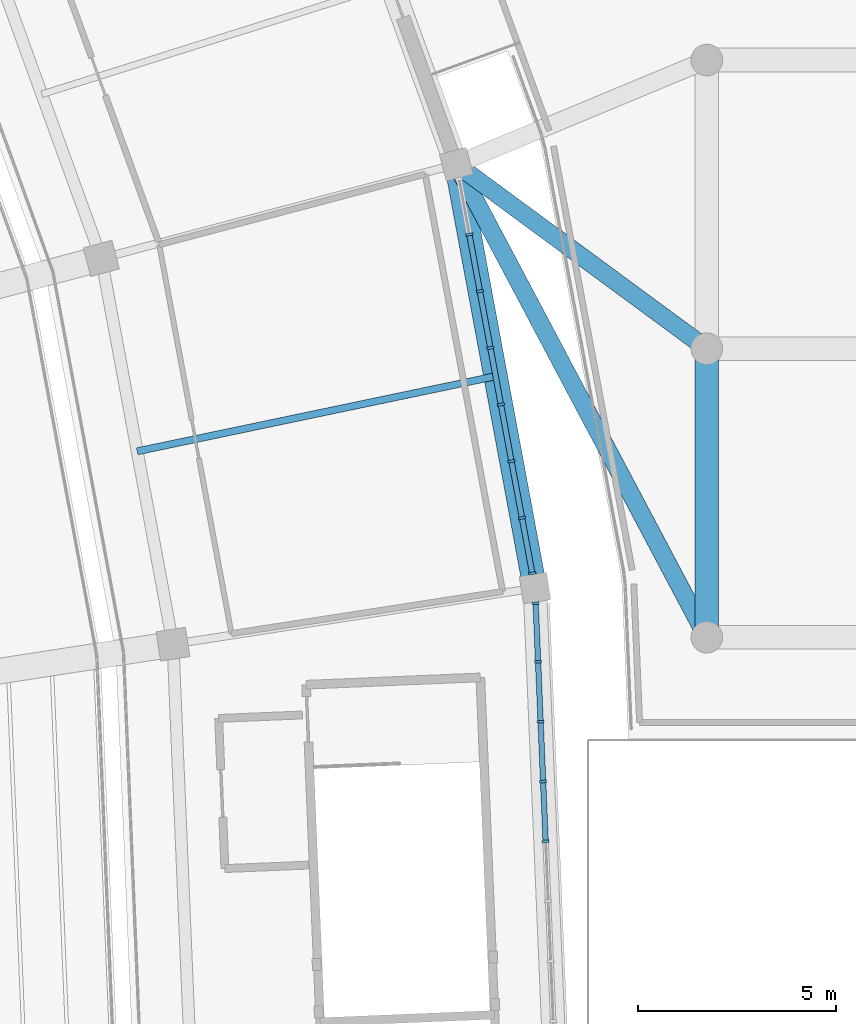
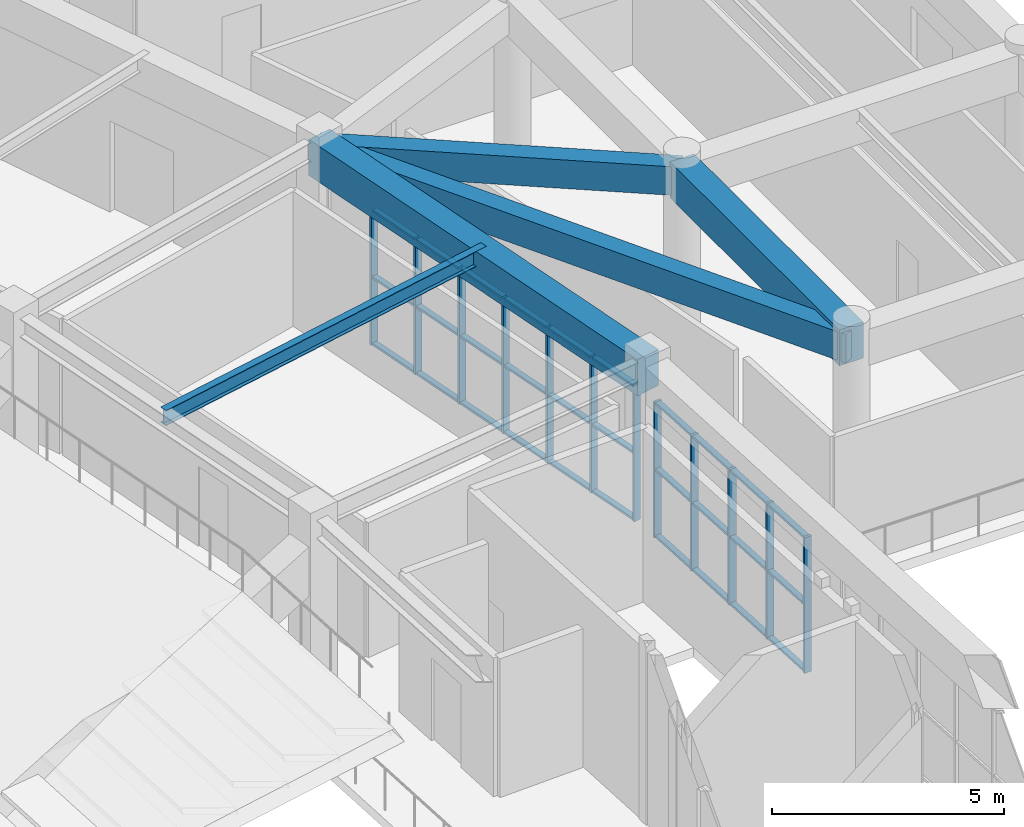
# One storey, part 48 of 137: 42 members, 5 beams, 2 elements without a shape of their own.
"""IFC4 building model written with IfcOpenShell, lengths in metres."""

from ifc_helpers import new_model, si_unit, direction, frame, origin, origin_2d, place, context, subcontext, project, spatial, rectangle, i_section, extrude, material, layer, layer_set, material_profile, profile_set, type_object, element, aggregate, save


model = new_model("IFC4")

# Units and contexts
model_context = context("Model", 3, precision=1e-05, world=origin(), true_north=direction((0.0, 1.0)))
body_context = subcontext(model_context, "Body", "Model", "MODEL_VIEW")
ifc_project = project(units=[si_unit("LENGTHUNIT", "METRE"), si_unit("AREAUNIT", "SQUARE_METRE"), si_unit("VOLUMEUNIT", "CUBIC_METRE"), si_unit("PLANEANGLEUNIT", "RADIAN"), si_unit("MASSUNIT", "GRAM", prefix="KILO")], contexts=[model_context])

# Site, building, storey
site_placement = place(None, origin())
site = spatial("IfcSite", under=ifc_project, at=site_placement, CompositionType="ELEMENT")
building_placement = place(site_placement, origin())
building = spatial("IfcBuilding", under=site, at=building_placement, Name="Mphavela Belvedere Stadium", CompositionType="ELEMENT")
storey_placement = place(building_placement, frame((0.0, 0.0, 19.199951171875)))
storey = spatial("IfcBuildingStorey", under=building, at=storey_placement, Name="L04", CompositionType="ELEMENT", Elevation=19.199951171875)

# Beams
ifc_material_1 = material(Name="Concrete C40/50", Category="concrete")
ifc_material_profile_1 = material_profile(ifc_material_1, rectangle(XDim=0.60009765625, YDim=0.949951171875, at=origin_2d()), Name="RC 600x950")
ifc_profile_set_1 = profile_set([ifc_material_profile_1], Name="Concrete C40/50")
beam_type_1 = type_object("IfcBeamType", Name="BM-ENTABLATURE-950", PredefinedType="SPANDREL", material=ifc_profile_set_1)
beam_1_placement = place(storey_placement, frame((217.155517578125, 102.844970703125, 4.074951171875), z_axis=(-0.18264260648, 0.983179372393, 0.0), x_axis=(-0.983179372393, -0.18264260648, 0.0)))
element("IfcBeam", 1, at=beam_1_placement, inside=storey, type_object=beam_type_1, Name="Circumferential girder L04 R4-02", PredefinedType="SPANDREL", context=body_context, shape_type="SweptSolid", body=[
    extrude(rectangle(XDim=0.60009765625, YDim=0.949951171875, at=origin_2d()), origin(), (0.0, 0.0, 1.0), 10.90087890625),
])
beam_2_placement = place(storey_placement, frame((221.5, 101.60009765625, 4.06494140625), z_axis=(0.0, 1.0, 0.0), x_axis=(-1.0, 0.0, 0.0)))
element("IfcBeam", 2, at=beam_2_placement, inside=storey, type_object=beam_type_1, Name="East Planted Eaves Peristyle Colonnade entablature beam Y L04 8-8", PredefinedType="SPANDREL", context=body_context, shape_type="SweptSolid", body=[
    extrude(rectangle(XDim=0.60009765625, YDim=0.949951171875, at=origin_2d()), origin(), (0.0, 0.0, 1.0), 7.2998046875),
])
ifc_material_2 = material(Name="Steel S355", Category="steel")
ifc_material_profile_2 = material_profile(ifc_material_2, i_section(OverallWidth=0.179931640625, OverallDepth=0.39990234375, WebThickness=0.008544921875, FlangeThickness=0.013427734375, at=origin_2d()), Name="IPE 400")
ifc_profile_set_2 = profile_set([ifc_material_profile_2], Name="Steel S355")
beam_type_2 = type_object("IfcBeamType", Name="BM-JOIST-IPE400", PredefinedType="JOIST", material=ifc_profile_set_2)
beam_3_placement = place(storey_placement, frame((207.09375, 106.303466796875, 4.35009765625), z_axis=(0.978734790431, 0.205129739435, 0.0), x_axis=(-0.205129739435, 0.978734790431, 0.0)))
element("IfcBeam", 3, at=beam_3_placement, inside=storey, type_object=beam_type_2, Name="Concourse floor joist L04-02", PredefinedType="JOIST", context=body_context, shape_type="SweptSolid", body=[
    extrude(i_section(OverallWidth=0.179931640625, OverallDepth=0.39990234375, WebThickness=0.008544921875, FlangeThickness=0.013427734375, at=origin_2d()), origin(), (0.0, 0.0, 1.0), 9.26318359375),
])
ifc_material_3 = material(Name="Concrete C40/50", Category="concrete")
ifc_material_profile_3 = material_profile(ifc_material_3, rectangle(XDim=0.449951171875, YDim=0.75, at=origin_2d()), Name="RC 450x750")
ifc_profile_set_3 = profile_set([ifc_material_profile_3], Name="Concrete C40/50")
beam_type_3 = type_object("IfcBeamType", Name="BM-RC450x750", PredefinedType="BEAM", material=ifc_profile_set_3)
beam_4_placement = place(storey_placement, frame((221.5, 101.60009765625, 4.06494140625), z_axis=(-0.468026930874, 0.883714202657, 0.0), x_axis=(-0.883714202657, -0.468026930874, 0.0)))
element("IfcBeam", 4, at=beam_4_placement, inside=storey, type_object=beam_type_3, Name="East Planted Eaves Peristyle Colonnade bowl link girder L04-2", PredefinedType="BEAM", context=body_context, shape_type="SweptSolid", body=[
    extrude(rectangle(XDim=0.449951171875, YDim=0.75, at=origin_2d()), origin(), (0.0, 0.0, 1.0), 13.53662109375),
])
beam_5_placement = place(storey_placement, frame((221.5, 108.89990234375, 4.06494140625), z_axis=(-0.805397383999, 0.592735230814, 0.0), x_axis=(-0.592735230814, -0.805397383999, 0.0)))
element("IfcBeam", 5, at=beam_5_placement, inside=storey, type_object=beam_type_3, Name="East Planted Eaves Peristyle Colonnade bowl link girder L04-4", PredefinedType="BEAM", context=body_context, shape_type="SweptSolid", body=[
    extrude(rectangle(XDim=0.449951171875, YDim=0.75, at=origin_2d()), origin(), (0.0, 0.0, 1.0), 7.8662109375),
])

# Curtain wall, members
ifc_material_4 = material(Name="Anodised bronze unitised curtain wall framing")
ifc_layer_1 = layer(ifc_material_4, 0.199951171875)
ifc_layer_set_1 = layer_set([ifc_layer_1], Name="Anodised bronze unitised curtain wall framing")
curtain_wall_type_1 = type_object("IfcCurtainWallType", Name="CW-UNIT-05", PredefinedType="USERDEFINED", material=ifc_layer_set_1)
curtain_wall_1_placement = place(storey_placement, origin())
curtain_wall_1 = element("IfcCurtainWall", 6, at=curtain_wall_1_placement, inside=storey, type_object=curtain_wall_type_1, Name="Belvedere colonnade curtain wall L04-01", ObjectType="UNITISED CURTAIN WALL", PredefinedType="USERDEFINED")
ifc_material_5 = material(Name="Anodised bronze extruded aluminium", Category="aluminium")
ifc_material_profile_4 = material_profile(ifc_material_5, rectangle(XDim=0.179931640625, YDim=0.06494140625, at=origin_2d()), Name="CW-MUL 180x65")
ifc_profile_set_4 = profile_set([ifc_material_profile_4], Name="Anodised bronze extruded aluminium")
member_type_1 = type_object("IfcMemberType", Name="CWM-180x65", PredefinedType="MULLION", material=ifc_profile_set_4)
member_1_placement = place(storey_placement, frame((217.424072265625, 96.4375, 0.0), z_axis=(0.0, 0.0, 1.0), x_axis=(-0.999121605563, -0.041904860066, 0.0)))
member_1 = element("IfcMember", 7, at=member_1_placement, type_object=member_type_1, Name="CW-05 mullion 7", PredefinedType="MULLION", context=body_context, shape_type="SweptSolid", body=[
    extrude(rectangle(XDim=0.179931640625, YDim=0.06494140625, at=origin_2d()), origin(), (0.0, 0.0, 1.0), 3.570068359375),
])
member_2_placement = place(storey_placement, frame((217.360595703125, 97.952392578125, 0.0), z_axis=(0.0, 0.0, 1.0), x_axis=(-0.999121605563, -0.041904860066, 0.0)))
member_2 = element("IfcMember", 8, at=member_2_placement, type_object=member_type_1, Name="CW-05 mullion 8", PredefinedType="MULLION", context=body_context, shape_type="SweptSolid", body=[
    extrude(rectangle(XDim=0.179931640625, YDim=0.06494140625, at=origin_2d()), origin(), (0.0, 0.0, 1.0), 3.570068359375),
])
member_3_placement = place(storey_placement, frame((217.297119140625, 99.46728515625, 0.0), z_axis=(0.0, 0.0, 1.0), x_axis=(-0.999121605563, -0.041904860066, 0.0)))
member_3 = element("IfcMember", 9, at=member_3_placement, type_object=member_type_1, Name="CW-05 mullion 9", PredefinedType="MULLION", context=body_context, shape_type="SweptSolid", body=[
    extrude(rectangle(XDim=0.179931640625, YDim=0.06494140625, at=origin_2d()), origin(), (0.0, 0.0, 1.0), 3.570068359375),
])
member_4_placement = place(storey_placement, frame((217.233642578125, 100.982421875, 0.0), z_axis=(0.0, 0.0, 1.0), x_axis=(-0.999121605563, -0.041904860066, 0.0)))
member_4 = element("IfcMember", 10, at=member_4_placement, type_object=member_type_1, Name="CW-05 mullion 10", PredefinedType="MULLION", context=body_context, shape_type="SweptSolid", body=[
    extrude(rectangle(XDim=0.179931640625, YDim=0.06494140625, at=origin_2d()), origin(), (0.0, 0.0, 1.0), 3.570068359375),
])
member_5_placement = place(storey_placement, frame((217.17138671875, 102.46484375, 0.0), z_axis=(0.0, 0.0, 1.0), x_axis=(-0.999121605563, -0.041904860066, 0.0)))
member_5 = element("IfcMember", 11, at=member_5_placement, type_object=member_type_1, Name="CW-05 mullion 11", PredefinedType="MULLION", context=body_context, shape_type="SweptSolid", body=[
    extrude(rectangle(XDim=0.179931640625, YDim=0.06494140625, at=origin_2d()), origin(), (0.0, 0.0, 1.0), 3.570068359375),
])

ifc_material_6 = material(Name="Anodised bronze unitised curtain wall framing")
ifc_layer_2 = layer(ifc_material_6, 0.205078125)
ifc_layer_set_2 = layer_set([ifc_layer_2], Name="Anodised bronze unitised curtain wall framing")
curtain_wall_type_2 = type_object("IfcCurtainWallType", Name="CW-UNIT-06", PredefinedType="USERDEFINED", material=ifc_layer_set_2)
curtain_wall_2_placement = place(storey_placement, origin())
curtain_wall_2 = element("IfcCurtainWall", 12, at=curtain_wall_2_placement, inside=storey, type_object=curtain_wall_type_2, Name="Belvedere colonnade curtain wall L04-02", ObjectType="UNITISED CURTAIN WALL", PredefinedType="USERDEFINED")
member_6_placement = place(storey_placement, frame((217.0859375, 103.218994140625, 0.0), z_axis=(0.0, 0.0, 1.0), x_axis=(-0.98318393569, -0.182618040183, 0.0)))
member_6 = element("IfcMember", 13, at=member_6_placement, type_object=member_type_1, Name="CW-06 mullion 1", PredefinedType="MULLION", context=body_context, shape_type="SweptSolid", body=[
    extrude(rectangle(XDim=0.179931640625, YDim=0.06494140625, at=origin_2d()), origin(), (0.0, 0.0, 1.0), 3.570068359375),
])
member_7_placement = place(storey_placement, frame((216.82568359375, 104.620361328125, 0.0), z_axis=(0.0, 0.0, 1.0), x_axis=(-0.98318393569, -0.182618040183, 0.0)))
member_7 = element("IfcMember", 14, at=member_7_placement, type_object=member_type_1, Name="CW-06 mullion 2", PredefinedType="MULLION", context=body_context, shape_type="SweptSolid", body=[
    extrude(rectangle(XDim=0.179931640625, YDim=0.06494140625, at=origin_2d()), origin(), (0.0, 0.0, 1.0), 3.570068359375),
])
member_8_placement = place(storey_placement, frame((216.559326171875, 106.0537109375, 0.0), z_axis=(0.0, 0.0, 1.0), x_axis=(-0.98318393569, -0.182618040183, 0.0)))
member_8 = element("IfcMember", 15, at=member_8_placement, type_object=member_type_1, Name="CW-06 mullion 3", PredefinedType="MULLION", context=body_context, shape_type="SweptSolid", body=[
    extrude(rectangle(XDim=0.179931640625, YDim=0.06494140625, at=origin_2d()), origin(), (0.0, 0.0, 1.0), 3.570068359375),
])
member_9_placement = place(storey_placement, frame((216.293212890625, 107.487060546875, 0.0), z_axis=(0.0, 0.0, 1.0), x_axis=(-0.98318393569, -0.182618040183, 0.0)))
member_9 = element("IfcMember", 16, at=member_9_placement, type_object=member_type_1, Name="CW-06 mullion 4", PredefinedType="MULLION", context=body_context, shape_type="SweptSolid", body=[
    extrude(rectangle(XDim=0.179931640625, YDim=0.06494140625, at=origin_2d()), origin(), (0.0, 0.0, 1.0), 3.570068359375),
])
member_10_placement = place(storey_placement, frame((216.02685546875, 108.92041015625, 0.0), z_axis=(0.0, 0.0, 1.0), x_axis=(-0.98318393569, -0.182618040183, 0.0)))
member_10 = element("IfcMember", 17, at=member_10_placement, type_object=member_type_1, Name="CW-06 mullion 5", PredefinedType="MULLION", context=body_context, shape_type="SweptSolid", body=[
    extrude(rectangle(XDim=0.179931640625, YDim=0.06494140625, at=origin_2d()), origin(), (0.0, 0.0, 1.0), 3.570068359375),
])
member_11_placement = place(storey_placement, frame((215.7607421875, 110.353759765625, 0.0), z_axis=(0.0, 0.0, 1.0), x_axis=(-0.98318393569, -0.182618040183, 0.0)))
member_11 = element("IfcMember", 18, at=member_11_placement, type_object=member_type_1, Name="CW-06 mullion 6", PredefinedType="MULLION", context=body_context, shape_type="SweptSolid", body=[
    extrude(rectangle(XDim=0.179931640625, YDim=0.06494140625, at=origin_2d()), origin(), (0.0, 0.0, 1.0), 3.570068359375),
])
member_12_placement = place(storey_placement, frame((215.494384765625, 111.787109375, 0.0), z_axis=(0.0, 0.0, 1.0), x_axis=(-0.98318393569, -0.182618040183, 0.0)))
member_12 = element("IfcMember", 19, at=member_12_placement, type_object=member_type_1, Name="CW-06 mullion 7", PredefinedType="MULLION", context=body_context, shape_type="SweptSolid", body=[
    extrude(rectangle(XDim=0.179931640625, YDim=0.06494140625, at=origin_2d()), origin(), (0.0, 0.0, 1.0), 3.570068359375),
])

# Member
ifc_material_7 = material(Name="Anodised bronze extruded aluminium", Category="aluminium")
ifc_material_profile_5 = material_profile(ifc_material_7, rectangle(XDim=0.139892578125, YDim=0.06005859375, at=origin_2d()), Name="CW-TRN 140x60")
ifc_profile_set_5 = profile_set([ifc_material_profile_5], Name="Anodised bronze extruded aluminium")
member_type_2 = type_object("IfcMemberType", Name="CWT-140x60", PredefinedType="USERDEFINED", material=ifc_profile_set_5)
member_13_placement = place(storey_placement, frame((217.4228515625, 96.469970703125, 0.030029296875), z_axis=(-0.041889449519, 0.999122251789, 0.0), x_axis=(-0.999122251789, -0.041889449519, 0.0)))
member_13 = element("IfcMember", 20, at=member_13_placement, type_object=member_type_2, Name="CW-05 transom 7.1", ObjectType="TRANSOM", PredefinedType="USERDEFINED", context=body_context, shape_type="SweptSolid", body=[
    extrude(rectangle(XDim=0.139892578125, YDim=0.06005859375, at=origin_2d()), origin(), (0.0, 0.0, 1.0), 1.451171875),
])

member_14_placement = place(storey_placement, frame((217.4228515625, 96.469970703125, 1.78515625), z_axis=(-0.041889449519, 0.999122251789, 0.0), x_axis=(-0.999122251789, -0.041889449519, 0.0)))
member_14 = element("IfcMember", 21, at=member_14_placement, type_object=member_type_2, Name="CW-05 transom 7.2", ObjectType="TRANSOM", PredefinedType="USERDEFINED", context=body_context, shape_type="SweptSolid", body=[
    extrude(rectangle(XDim=0.139892578125, YDim=0.06005859375, at=origin_2d()), origin(), (0.0, 0.0, 1.0), 1.451171875),
])

member_15_placement = place(storey_placement, frame((217.4228515625, 96.469970703125, 3.5400390625), z_axis=(-0.041889449519, 0.999122251789, 0.0), x_axis=(-0.999122251789, -0.041889449519, 0.0)))
member_15 = element("IfcMember", 22, at=member_15_placement, type_object=member_type_2, Name="CW-05 transom 7.3", ObjectType="TRANSOM", PredefinedType="USERDEFINED", context=body_context, shape_type="SweptSolid", body=[
    extrude(rectangle(XDim=0.139892578125, YDim=0.06005859375, at=origin_2d()), origin(), (0.0, 0.0, 1.0), 1.451171875),
])

member_16_placement = place(storey_placement, frame((217.359375, 97.98486328125, 0.030029296875), z_axis=(-0.042057383264, 0.999115196818, 0.0), x_axis=(-0.999115196818, -0.042057383264, 0.0)))
member_16 = element("IfcMember", 23, at=member_16_placement, type_object=member_type_2, Name="CW-05 transom 8.1", ObjectType="TRANSOM", PredefinedType="USERDEFINED", context=body_context, shape_type="SweptSolid", body=[
    extrude(rectangle(XDim=0.139892578125, YDim=0.06005859375, at=origin_2d()), origin(), (0.0, 0.0, 1.0), 1.451171875),
])

member_17_placement = place(storey_placement, frame((217.359375, 97.98486328125, 1.78515625), z_axis=(-0.042057383264, 0.999115196818, 0.0), x_axis=(-0.999115196818, -0.042057383264, 0.0)))
member_17 = element("IfcMember", 24, at=member_17_placement, type_object=member_type_2, Name="CW-05 transom 8.2", ObjectType="TRANSOM", PredefinedType="USERDEFINED", context=body_context, shape_type="SweptSolid", body=[
    extrude(rectangle(XDim=0.139892578125, YDim=0.06005859375, at=origin_2d()), origin(), (0.0, 0.0, 1.0), 1.451171875),
])

member_18_placement = place(storey_placement, frame((217.359375, 97.98486328125, 3.5400390625), z_axis=(-0.042057383264, 0.999115196818, 0.0), x_axis=(-0.999115196818, -0.042057383264, 0.0)))
member_18 = element("IfcMember", 25, at=member_18_placement, type_object=member_type_2, Name="CW-05 transom 8.3", ObjectType="TRANSOM", PredefinedType="USERDEFINED", context=body_context, shape_type="SweptSolid", body=[
    extrude(rectangle(XDim=0.139892578125, YDim=0.06005859375, at=origin_2d()), origin(), (0.0, 0.0, 1.0), 1.451171875),
])

member_19_placement = place(storey_placement, frame((217.295654296875, 99.499755859375, 0.030029296875), z_axis=(-0.041882409795, 0.999122546913, 0.0), x_axis=(-0.999122546913, -0.041882409795, 0.0)))
member_19 = element("IfcMember", 26, at=member_19_placement, type_object=member_type_2, Name="CW-05 transom 9.1", ObjectType="TRANSOM", PredefinedType="USERDEFINED", context=body_context, shape_type="SweptSolid", body=[
    extrude(rectangle(XDim=0.139892578125, YDim=0.06005859375, at=origin_2d()), origin(), (0.0, 0.0, 1.0), 1.451416015625),
])

member_20_placement = place(storey_placement, frame((217.295654296875, 99.499755859375, 1.78515625), z_axis=(-0.041882409795, 0.999122546913, 0.0), x_axis=(-0.999122546913, -0.041882409795, 0.0)))
member_20 = element("IfcMember", 27, at=member_20_placement, type_object=member_type_2, Name="CW-05 transom 9.2", ObjectType="TRANSOM", PredefinedType="USERDEFINED", context=body_context, shape_type="SweptSolid", body=[
    extrude(rectangle(XDim=0.139892578125, YDim=0.06005859375, at=origin_2d()), origin(), (0.0, 0.0, 1.0), 1.451416015625),
])

member_21_placement = place(storey_placement, frame((217.295654296875, 99.499755859375, 3.5400390625), z_axis=(-0.041882409795, 0.999122546913, 0.0), x_axis=(-0.999122546913, -0.041882409795, 0.0)))
member_21 = element("IfcMember", 28, at=member_21_placement, type_object=member_type_2, Name="CW-05 transom 9.3", ObjectType="TRANSOM", PredefinedType="USERDEFINED", context=body_context, shape_type="SweptSolid", body=[
    extrude(rectangle(XDim=0.139892578125, YDim=0.06005859375, at=origin_2d()), origin(), (0.0, 0.0, 1.0), 1.451416015625),
])

member_22_placement = place(storey_placement, frame((217.232177734375, 101.014892578125, 0.030029296875), z_axis=(-0.041988428468, 0.999118097061, 0.0), x_axis=(-0.999118097061, -0.041988428468, 0.0)))
member_22 = element("IfcMember", 29, at=member_22_placement, type_object=member_type_2, Name="CW-05 transom 10.1", ObjectType="TRANSOM", PredefinedType="USERDEFINED", context=body_context, shape_type="SweptSolid", body=[
    extrude(rectangle(XDim=0.139892578125, YDim=0.06005859375, at=origin_2d()), origin(), (0.0, 0.0, 1.0), 1.418701171875),
])

member_23_placement = place(storey_placement, frame((217.232177734375, 101.014892578125, 1.78515625), z_axis=(-0.041988428468, 0.999118097061, 0.0), x_axis=(-0.999118097061, -0.041988428468, 0.0)))
member_23 = element("IfcMember", 30, at=member_23_placement, type_object=member_type_2, Name="CW-05 transom 10.2", ObjectType="TRANSOM", PredefinedType="USERDEFINED", context=body_context, shape_type="SweptSolid", body=[
    extrude(rectangle(XDim=0.139892578125, YDim=0.06005859375, at=origin_2d()), origin(), (0.0, 0.0, 1.0), 1.418701171875),
])

member_24_placement = place(storey_placement, frame((217.232177734375, 101.014892578125, 3.5400390625), z_axis=(-0.041988428468, 0.999118097061, 0.0), x_axis=(-0.999118097061, -0.041988428468, 0.0)))
member_24 = element("IfcMember", 31, at=member_24_placement, type_object=member_type_2, Name="CW-05 transom 10.3", ObjectType="TRANSOM", PredefinedType="USERDEFINED", context=body_context, shape_type="SweptSolid", body=[
    extrude(rectangle(XDim=0.139892578125, YDim=0.06005859375, at=origin_2d()), origin(), (0.0, 0.0, 1.0), 1.418701171875),
])

aggregate(curtain_wall_1, [member_1, member_2, member_3, member_4, member_5, member_13, member_14, member_15, member_16, member_17, member_18, member_19, member_20, member_21, member_22, member_23, member_24])

member_25_placement = place(storey_placement, frame((217.079833984375, 103.2509765625, 0.030029296875), z_axis=(-0.182532708609, 0.983199781473, 0.0), x_axis=(-0.983199781473, -0.182532708609, 0.0)))
member_25 = element("IfcMember", 32, at=member_25_placement, type_object=member_type_2, Name="CW-06 transom 1.1", ObjectType="TRANSOM", PredefinedType="USERDEFINED", context=body_context, shape_type="SweptSolid", body=[
    extrude(rectangle(XDim=0.139892578125, YDim=0.06005859375, at=origin_2d()), origin(), (0.0, 0.0, 1.0), 1.3603515625),
])

member_26_placement = place(storey_placement, frame((217.079833984375, 103.2509765625, 1.78515625), z_axis=(-0.182532708609, 0.983199781473, 0.0), x_axis=(-0.983199781473, -0.182532708609, 0.0)))
member_26 = element("IfcMember", 33, at=member_26_placement, type_object=member_type_2, Name="CW-06 transom 1.2", ObjectType="TRANSOM", PredefinedType="USERDEFINED", context=body_context, shape_type="SweptSolid", body=[
    extrude(rectangle(XDim=0.139892578125, YDim=0.06005859375, at=origin_2d()), origin(), (0.0, 0.0, 1.0), 1.3603515625),
])

member_27_placement = place(storey_placement, frame((217.079833984375, 103.2509765625, 3.5400390625), z_axis=(-0.182532708609, 0.983199781473, 0.0), x_axis=(-0.983199781473, -0.182532708609, 0.0)))
member_27 = element("IfcMember", 34, at=member_27_placement, type_object=member_type_2, Name="CW-06 transom 1.3", ObjectType="TRANSOM", PredefinedType="USERDEFINED", context=body_context, shape_type="SweptSolid", body=[
    extrude(rectangle(XDim=0.139892578125, YDim=0.06005859375, at=origin_2d()), origin(), (0.0, 0.0, 1.0), 1.3603515625),
])

member_28_placement = place(storey_placement, frame((216.819580078125, 104.65234375, 0.030029296875), z_axis=(-0.1826478673, 0.98317839509, 0.0), x_axis=(-0.98317839509, -0.1826478673, 0.0)))
member_28 = element("IfcMember", 35, at=member_28_placement, type_object=member_type_2, Name="CW-06 transom 2.1", ObjectType="TRANSOM", PredefinedType="USERDEFINED", context=body_context, shape_type="SweptSolid", body=[
    extrude(rectangle(XDim=0.139892578125, YDim=0.06005859375, at=origin_2d()), origin(), (0.0, 0.0, 1.0), 1.392822265625),
])

member_29_placement = place(storey_placement, frame((216.819580078125, 104.65234375, 1.78515625), z_axis=(-0.1826478673, 0.98317839509, 0.0), x_axis=(-0.98317839509, -0.1826478673, 0.0)))
member_29 = element("IfcMember", 36, at=member_29_placement, type_object=member_type_2, Name="CW-06 transom 2.2", ObjectType="TRANSOM", PredefinedType="USERDEFINED", context=body_context, shape_type="SweptSolid", body=[
    extrude(rectangle(XDim=0.139892578125, YDim=0.06005859375, at=origin_2d()), origin(), (0.0, 0.0, 1.0), 1.392822265625),
])

member_30_placement = place(storey_placement, frame((216.819580078125, 104.65234375, 3.5400390625), z_axis=(-0.1826478673, 0.98317839509, 0.0), x_axis=(-0.98317839509, -0.1826478673, 0.0)))
member_30 = element("IfcMember", 37, at=member_30_placement, type_object=member_type_2, Name="CW-06 transom 2.3", ObjectType="TRANSOM", PredefinedType="USERDEFINED", context=body_context, shape_type="SweptSolid", body=[
    extrude(rectangle(XDim=0.139892578125, YDim=0.06005859375, at=origin_2d()), origin(), (0.0, 0.0, 1.0), 1.392822265625),
])

member_31_placement = place(storey_placement, frame((216.553466796875, 106.085693359375, 0.030029296875), z_axis=(-0.1826478673, 0.98317839509, 0.0), x_axis=(-0.98317839509, -0.1826478673, 0.0)))
member_31 = element("IfcMember", 38, at=member_31_placement, type_object=member_type_2, Name="CW-06 transom 3.1", ObjectType="TRANSOM", PredefinedType="USERDEFINED", context=body_context, shape_type="SweptSolid", body=[
    extrude(rectangle(XDim=0.139892578125, YDim=0.06005859375, at=origin_2d()), origin(), (0.0, 0.0, 1.0), 1.392822265625),
])

member_32_placement = place(storey_placement, frame((216.553466796875, 106.085693359375, 1.78515625), z_axis=(-0.1826478673, 0.98317839509, 0.0), x_axis=(-0.98317839509, -0.1826478673, 0.0)))
member_32 = element("IfcMember", 39, at=member_32_placement, type_object=member_type_2, Name="CW-06 transom 3.2", ObjectType="TRANSOM", PredefinedType="USERDEFINED", context=body_context, shape_type="SweptSolid", body=[
    extrude(rectangle(XDim=0.139892578125, YDim=0.06005859375, at=origin_2d()), origin(), (0.0, 0.0, 1.0), 1.392822265625),
])

member_33_placement = place(storey_placement, frame((216.553466796875, 106.085693359375, 3.5400390625), z_axis=(-0.1826478673, 0.98317839509, 0.0), x_axis=(-0.98317839509, -0.1826478673, 0.0)))
member_33 = element("IfcMember", 40, at=member_33_placement, type_object=member_type_2, Name="CW-06 transom 3.3", ObjectType="TRANSOM", PredefinedType="USERDEFINED", context=body_context, shape_type="SweptSolid", body=[
    extrude(rectangle(XDim=0.139892578125, YDim=0.06005859375, at=origin_2d()), origin(), (0.0, 0.0, 1.0), 1.392822265625),
])

member_34_placement = place(storey_placement, frame((216.287109375, 107.51904296875, 0.030029296875), z_axis=(-0.1826478673, 0.98317839509, 0.0), x_axis=(-0.98317839509, -0.1826478673, 0.0)))
member_34 = element("IfcMember", 41, at=member_34_placement, type_object=member_type_2, Name="CW-06 transom 4.1", ObjectType="TRANSOM", PredefinedType="USERDEFINED", context=body_context, shape_type="SweptSolid", body=[
    extrude(rectangle(XDim=0.139892578125, YDim=0.06005859375, at=origin_2d()), origin(), (0.0, 0.0, 1.0), 1.392822265625),
])

member_35_placement = place(storey_placement, frame((216.287109375, 107.51904296875, 1.78515625), z_axis=(-0.1826478673, 0.98317839509, 0.0), x_axis=(-0.98317839509, -0.1826478673, 0.0)))
member_35 = element("IfcMember", 42, at=member_35_placement, type_object=member_type_2, Name="CW-06 transom 4.2", ObjectType="TRANSOM", PredefinedType="USERDEFINED", context=body_context, shape_type="SweptSolid", body=[
    extrude(rectangle(XDim=0.139892578125, YDim=0.06005859375, at=origin_2d()), origin(), (0.0, 0.0, 1.0), 1.392822265625),
])

member_36_placement = place(storey_placement, frame((216.287109375, 107.51904296875, 3.5400390625), z_axis=(-0.1826478673, 0.98317839509, 0.0), x_axis=(-0.98317839509, -0.1826478673, 0.0)))
member_36 = element("IfcMember", 43, at=member_36_placement, type_object=member_type_2, Name="CW-06 transom 4.3", ObjectType="TRANSOM", PredefinedType="USERDEFINED", context=body_context, shape_type="SweptSolid", body=[
    extrude(rectangle(XDim=0.139892578125, YDim=0.06005859375, at=origin_2d()), origin(), (0.0, 0.0, 1.0), 1.392822265625),
])

member_37_placement = place(storey_placement, frame((216.02099609375, 108.952392578125, 0.030029296875), z_axis=(-0.1826478673, 0.98317839509, 0.0), x_axis=(-0.98317839509, -0.1826478673, 0.0)))
member_37 = element("IfcMember", 44, at=member_37_placement, type_object=member_type_2, Name="CW-06 transom 5.1", ObjectType="TRANSOM", PredefinedType="USERDEFINED", context=body_context, shape_type="SweptSolid", body=[
    extrude(rectangle(XDim=0.139892578125, YDim=0.06005859375, at=origin_2d()), origin(), (0.0, 0.0, 1.0), 1.392822265625),
])

member_38_placement = place(storey_placement, frame((216.02099609375, 108.952392578125, 1.78515625), z_axis=(-0.1826478673, 0.98317839509, 0.0), x_axis=(-0.98317839509, -0.1826478673, 0.0)))
member_38 = element("IfcMember", 45, at=member_38_placement, type_object=member_type_2, Name="CW-06 transom 5.2", ObjectType="TRANSOM", PredefinedType="USERDEFINED", context=body_context, shape_type="SweptSolid", body=[
    extrude(rectangle(XDim=0.139892578125, YDim=0.06005859375, at=origin_2d()), origin(), (0.0, 0.0, 1.0), 1.392822265625),
])

member_39_placement = place(storey_placement, frame((216.02099609375, 108.952392578125, 3.5400390625), z_axis=(-0.1826478673, 0.98317839509, 0.0), x_axis=(-0.98317839509, -0.1826478673, 0.0)))
member_39 = element("IfcMember", 46, at=member_39_placement, type_object=member_type_2, Name="CW-06 transom 5.3", ObjectType="TRANSOM", PredefinedType="USERDEFINED", context=body_context, shape_type="SweptSolid", body=[
    extrude(rectangle(XDim=0.139892578125, YDim=0.06005859375, at=origin_2d()), origin(), (0.0, 0.0, 1.0), 1.392822265625),
])

member_40_placement = place(storey_placement, frame((215.754638671875, 110.3857421875, 0.030029296875), z_axis=(-0.1826478673, 0.98317839509, 0.0), x_axis=(-0.98317839509, -0.1826478673, 0.0)))
member_40 = element("IfcMember", 47, at=member_40_placement, type_object=member_type_2, Name="CW-06 transom 6.1", ObjectType="TRANSOM", PredefinedType="USERDEFINED", context=body_context, shape_type="SweptSolid", body=[
    extrude(rectangle(XDim=0.139892578125, YDim=0.06005859375, at=origin_2d()), origin(), (0.0, 0.0, 1.0), 1.392822265625),
])

member_41_placement = place(storey_placement, frame((215.754638671875, 110.3857421875, 1.78515625), z_axis=(-0.1826478673, 0.98317839509, 0.0), x_axis=(-0.98317839509, -0.1826478673, 0.0)))
member_41 = element("IfcMember", 48, at=member_41_placement, type_object=member_type_2, Name="CW-06 transom 6.2", ObjectType="TRANSOM", PredefinedType="USERDEFINED", context=body_context, shape_type="SweptSolid", body=[
    extrude(rectangle(XDim=0.139892578125, YDim=0.06005859375, at=origin_2d()), origin(), (0.0, 0.0, 1.0), 1.392822265625),
])

member_42_placement = place(storey_placement, frame((215.754638671875, 110.3857421875, 3.5400390625), z_axis=(-0.1826478673, 0.98317839509, 0.0), x_axis=(-0.98317839509, -0.1826478673, 0.0)))
member_42 = element("IfcMember", 49, at=member_42_placement, type_object=member_type_2, Name="CW-06 transom 6.3", ObjectType="TRANSOM", PredefinedType="USERDEFINED", context=body_context, shape_type="SweptSolid", body=[
    extrude(rectangle(XDim=0.139892578125, YDim=0.06005859375, at=origin_2d()), origin(), (0.0, 0.0, 1.0), 1.392822265625),
])

aggregate(curtain_wall_2, [member_6, member_7, member_8, member_9, member_10, member_11, member_12, member_25, member_26, member_27, member_28, member_29, member_30, member_31, member_32, member_33, member_34, member_35, member_36, member_37, member_38, member_39, member_40, member_41, member_42])

save(model, "model.ifc")
